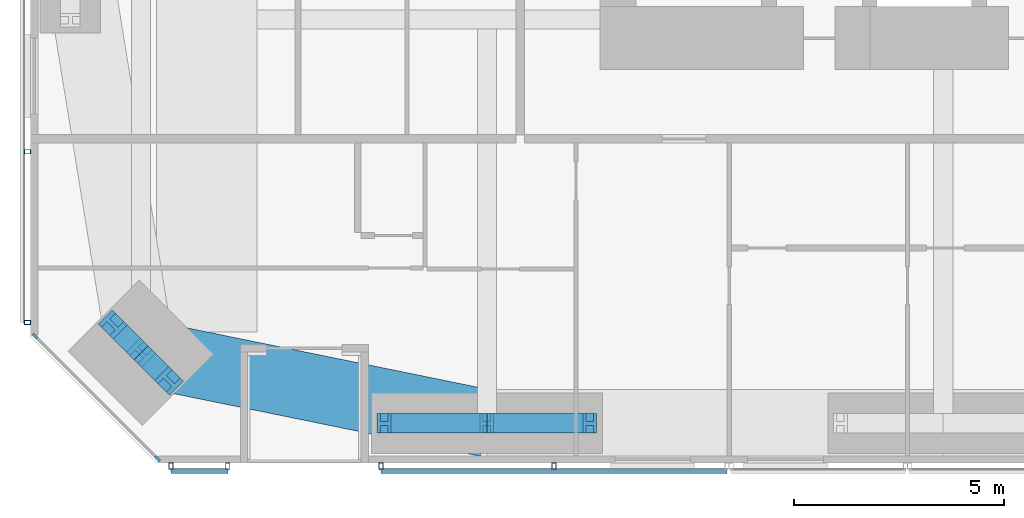
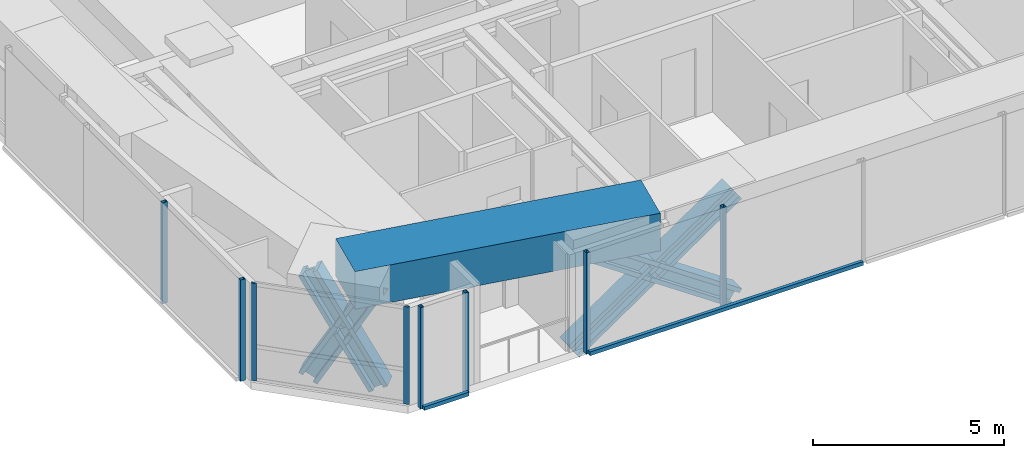
# One storey, part 2 of 23: 18 members, 1 beam, 4 elements without a shape of their own.
"""IFC4 building model written with IfcOpenShell, lengths in metres."""

from ifc_helpers import new_model, si_unit, direction, frame, origin, origin_2d, place, context, subcontext, project, spatial, rectangle, hollow_rectangle, i_section, extrude, material, material_profile, profile_set, type_object, element, aggregate, save


model = new_model("IFC4")

# Units and contexts
model_context = context("Model", 3, precision=1e-05, world=origin(), true_north=direction((0.0, 1.0)))
body_context = subcontext(model_context, "Body", "Model", "MODEL_VIEW")
ifc_project = project(units=[si_unit("LENGTHUNIT", "METRE"), si_unit("AREAUNIT", "SQUARE_METRE"), si_unit("VOLUMEUNIT", "CUBIC_METRE"), si_unit("PLANEANGLEUNIT", "RADIAN"), si_unit("MASSUNIT", "GRAM", prefix="KILO")], contexts=[model_context])

# Site, building, storey
site_placement = place(None, origin())
site = spatial("IfcSite", under=ifc_project, at=site_placement, CompositionType="ELEMENT")
building_placement = place(site_placement, origin())
building = spatial("IfcBuilding", under=site, at=building_placement, Name="Jalousie Tower", CompositionType="ELEMENT")
storey_placement = place(building_placement, frame((0.0, 0.0, 118.25)))
storey = spatial("IfcBuildingStorey", under=building, at=storey_placement, Name="L32", CompositionType="ELEMENT", Elevation=118.25)

# Curtain wall, members
ifc_material_1 = material(Name="Aluminium curtain wall", Category="aluminium")
curtain_wall_type_1 = type_object("IfcCurtainWallType", Name="CORNER WINDOW WALL", PredefinedType="USERDEFINED", material=ifc_material_1)
curtain_wall_1_placement = place(storey_placement, origin())
curtain_wall_1 = element("IfcCurtainWall", 1, at=curtain_wall_1_placement, inside=storey, type_object=curtain_wall_type_1, Name="Corner Window Wall L32 8", ObjectType="CORNER WINDOW WALL", PredefinedType="USERDEFINED")
ifc_material_2 = material(Name="Aluminium mullion", Category="aluminium")
ifc_material_profile_1 = material_profile(ifc_material_2, rectangle(XDim=0.06005859375, YDim=0.14990234375, at=origin_2d()), Name="MULLION 60x150")
ifc_profile_set_1 = profile_set([ifc_material_profile_1], Name="Aluminium mullion")
member_type_1 = type_object("IfcMemberType", Name="CORNER WINDOW WALL MULLION", PredefinedType="MULLION", material=ifc_profile_set_1)
member_1_placement = place(storey_placement, frame((6.108642578125, 3.030029296875, 0.0), z_axis=(0.0, 0.0, 1.0), x_axis=(0.707106781187, 0.707106781187, 0.0)))
member_1 = element("IfcMember", 2, at=member_1_placement, type_object=member_type_1, Name="CW-C mullion 1", PredefinedType="MULLION", context=body_context, shape_type="SweptSolid", body=[
    extrude(rectangle(XDim=0.06005859375, YDim=0.14990234375, at=origin_2d()), origin(), (0.0, 0.0, 1.0), 3.110107421875),
])
member_2_placement = place(storey_placement, frame((9.030029296875, 0.108642578125, 0.0), z_axis=(0.0, 0.0, 1.0), x_axis=(0.707106781187, 0.707106781187, 0.0)))
member_2 = element("IfcMember", 3, at=member_2_placement, type_object=member_type_1, Name="CW-C mullion 2", PredefinedType="MULLION", context=body_context, shape_type="SweptSolid", body=[
    extrude(rectangle(XDim=0.06005859375, YDim=0.14990234375, at=origin_2d()), origin(), (0.0, 0.0, 1.0), 3.110107421875),
])
aggregate(curtain_wall_1, [member_1, member_2])

# Members
ifc_material_3 = material(Name="Steel ASTM A992 Grade 50", Category="steel")
ifc_material_profile_2 = material_profile(ifc_material_3, i_section(OverallWidth=0.472412109375, OverallDepth=0.5791015625, WebThickness=0.094970703125, FlangeThickness=0.1298828125, at=origin_2d()), Name="W14X808")
ifc_profile_set_2 = profile_set([ifc_material_profile_2], Name="Steel ASTM A992 Grade 50")
member_type_2 = type_object("IfcMemberType", Name="PERIMETER BRACE W14X808", PredefinedType="BRACE", material=ifc_profile_set_2)
for number, where, z_axis, x_axis, name in (
    (4, (7.959716796875, 3.302978515625, -0.60009765625), (0.348789058631, -0.348789058631, 0.869880672943), (0.707106781187, 0.707106781187, 0.0), "Perimeter brace 01 L32 part 1"),
    (5, (8.63134765625, 2.63134765625, 1.074951171875), (0.348789058631, -0.348789058631, 0.869880672943), (0.707106781187, 0.707106781187, 0.0), "Perimeter brace 01 L32 part 2"),
    (6, (9.302978515625, 1.959716796875, -0.60009765625), (-0.348789058631, 0.348789058631, 0.869880672943), (-0.707106781187, -0.707106781187, 0.0), "Perimeter brace 01 L32 part 3"),
    (7, (8.63134765625, 2.63134765625, 1.074951171875), (-0.348789058631, 0.348789058631, 0.869880672943), (-0.707106781187, -0.707106781187, 0.0), "Perimeter brace 01 L32 part 4"),
):
    element("IfcMember", number, at=place(storey_placement, frame(where, z_axis=z_axis, x_axis=x_axis)), inside=storey, type_object=member_type_2, Name=name, PredefinedType="BRACE", context=body_context, shape_type="SweptSolid", body=[
        extrude(i_section(OverallWidth=0.472412109375, OverallDepth=0.5791015625, WebThickness=0.094970703125, FlangeThickness=0.1298828125, at=origin_2d()), origin(), (0.0, 0.0, 1.0), 1.925537109375),
    ])
for number, where, z_axis, x_axis, name in (
    (8, (14.425048828125, 0.949951171875, -0.60009765625), (0.825500916831, 0.0, 0.564400776321), (0.0, 1.0, 0.0), "Perimeter brace 02 L32 part 1"),
    (9, (16.875, 0.949951171875, 1.074951171875), (0.825500916831, 0.0, 0.564400776321), (0.0, 1.0, 0.0), "Perimeter brace 02 L32 part 2"),
    (10, (19.324951171875, 0.949951171875, -0.60009765625), (-0.825500916831, 0.0, 0.564400776321), (0.0, -1.0, 0.0), "Perimeter brace 02 L32 part 3"),
    (11, (16.875, 0.949951171875, 1.074951171875), (-0.825500916831, 0.0, 0.564400776321), (0.0, -1.0, 0.0), "Perimeter brace 02 L32 part 4"),
):
    element("IfcMember", number, at=place(storey_placement, frame(where, z_axis=z_axis, x_axis=x_axis)), inside=storey, type_object=member_type_2, Name=name, PredefinedType="BRACE", context=body_context, shape_type="SweptSolid", body=[
        extrude(i_section(OverallWidth=0.472412109375, OverallDepth=0.5791015625, WebThickness=0.094970703125, FlangeThickness=0.1298828125, at=origin_2d()), origin(), (0.0, 0.0, 1.0), 2.9677734375),
    ])

# Beam
ifc_material_4 = material(Name="Concrete f'c 40 MPa", Category="concrete")
ifc_material_profile_3 = material_profile(ifc_material_4, rectangle(XDim=1.60009765625, YDim=1.199951171875, at=origin_2d()), Name="RC 1600x1200")
ifc_profile_set_3 = profile_set([ifc_material_profile_3], Name="Concrete f'c 40 MPa")
beam_type = type_object("IfcBeamType", Name="RC BEAM 1600x1200", PredefinedType="BEAM", material=ifc_profile_set_3)
beam_placement = place(storey_placement, frame((8.63134765625, 2.63134765625, 2.75), z_axis=(0.97982690954, -0.199848010602, 0.0), x_axis=(0.199848010602, 0.97982690954, 0.0)))
element("IfcBeam", 12, at=beam_placement, inside=storey, type_object=beam_type, Name="Edge band beam 01-02 under L33", PredefinedType="BEAM", context=body_context, shape_type="SweptSolid", body=[
    extrude(rectangle(XDim=1.60009765625, YDim=1.199951171875, at=origin_2d()), origin(), (0.0, 0.0, 1.0), 8.413330078125),
])

# Curtain wall, members
ifc_material_5 = material(Name="Perforated aluminium sheet", Category="aluminium")
curtain_wall_type_2 = type_object("IfcCurtainWallType", Name="SOLAR SCREEN SS-1", PredefinedType="USERDEFINED", material=ifc_material_5)
curtain_wall_2_placement = place(storey_placement, origin())
curtain_wall_2 = element("IfcCurtainWall", 13, at=curtain_wall_2_placement, inside=storey, type_object=curtain_wall_type_2, Name="Solar screen L32", ObjectType="SOLAR SCREEN SS-1", PredefinedType="USERDEFINED")
ifc_material_6 = material(Name="Steel ASTM A500 Grade C", Category="steel")
ifc_material_profile_4 = material_profile(ifc_material_6, hollow_rectangle(XDim=0.1015625, YDim=0.15234375, WallThickness=0.00634765625, at=origin_2d()), Name="HSS6X4X1/4")
ifc_profile_set_4 = profile_set([ifc_material_profile_4], Name="Steel ASTM A500 Grade C")
member_type_3 = type_object("IfcMemberType", Name="SOLAR SCREEN SS-1 MULLION", PredefinedType="MULLION", material=ifc_profile_set_4)
member_3_placement = place(storey_placement, frame((9.351318359375, -0.0712890625, -0.1201171875), z_axis=(0.0, 0.0, 1.0), x_axis=(1.0, 0.0, 0.0)))
member_3 = element("IfcMember", 14, at=member_3_placement, type_object=member_type_3, Name="SS1 post 1", PredefinedType="MULLION", context=body_context, shape_type="SweptSolid", body=[
    extrude(hollow_rectangle(XDim=0.1015625, YDim=0.15234375, WallThickness=0.00634765625, at=origin_2d()), origin(), (0.0, 0.0, 1.0), 3.230224609375),
])
member_4_placement = place(storey_placement, frame((10.701416015625, -0.0712890625, -0.1201171875), z_axis=(0.0, 0.0, 1.0), x_axis=(1.0, 0.0, 0.0)))
member_4 = element("IfcMember", 15, at=member_4_placement, type_object=member_type_3, Name="SS1 post 2", PredefinedType="MULLION", context=body_context, shape_type="SweptSolid", body=[
    extrude(hollow_rectangle(XDim=0.1015625, YDim=0.15234375, WallThickness=0.00634765625, at=origin_2d()), origin(), (0.0, 0.0, 1.0), 3.230224609375),
])

curtain_wall_3_placement = place(storey_placement, origin())
curtain_wall_3 = element("IfcCurtainWall", 16, at=curtain_wall_3_placement, inside=storey, type_object=curtain_wall_type_2, Name="Solar screen L32", ObjectType="SOLAR SCREEN SS-1", PredefinedType="USERDEFINED")
member_5_placement = place(storey_placement, frame((14.351318359375, -0.0712890625, -0.1201171875), z_axis=(0.0, 0.0, 1.0), x_axis=(1.0, 0.0, 0.0)))
member_5 = element("IfcMember", 17, at=member_5_placement, type_object=member_type_3, Name="SS1 post 1", PredefinedType="MULLION", context=body_context, shape_type="SweptSolid", body=[
    extrude(hollow_rectangle(XDim=0.1015625, YDim=0.15234375, WallThickness=0.00634765625, at=origin_2d()), origin(), (0.0, 0.0, 1.0), 3.230224609375),
])
member_6_placement = place(storey_placement, frame((18.4755859375, -0.0712890625, -0.1201171875), z_axis=(0.0, 0.0, 1.0), x_axis=(1.0, 0.0, 0.0)))
member_6 = element("IfcMember", 18, at=member_6_placement, type_object=member_type_3, Name="SS1 post 2", PredefinedType="MULLION", context=body_context, shape_type="SweptSolid", body=[
    extrude(hollow_rectangle(XDim=0.1015625, YDim=0.15234375, WallThickness=0.00634765625, at=origin_2d()), origin(), (0.0, 0.0, 1.0), 3.230224609375),
])

curtain_wall_4_placement = place(storey_placement, origin())
curtain_wall_4 = element("IfcCurtainWall", 19, at=curtain_wall_4_placement, inside=storey, type_object=curtain_wall_type_2, Name="Solar screen L32", ObjectType="SOLAR SCREEN SS-1", PredefinedType="USERDEFINED")
member_7_placement = place(storey_placement, frame((5.9287109375, 7.42041015625, -0.1201171875), z_axis=(0.0, 0.0, 1.0), x_axis=(0.0, -1.0, 0.0)))
member_7 = element("IfcMember", 20, at=member_7_placement, type_object=member_type_3, Name="SS1 post 3", PredefinedType="MULLION", context=body_context, shape_type="SweptSolid", body=[
    extrude(hollow_rectangle(XDim=0.1015625, YDim=0.15234375, WallThickness=0.00634765625, at=origin_2d()), origin(), (0.0, 0.0, 1.0), 3.230224609375),
])
member_8_placement = place(storey_placement, frame((5.9287109375, 3.351318359375, -0.1201171875), z_axis=(0.0, 0.0, 1.0), x_axis=(0.0, -1.0, 0.0)))
member_8 = element("IfcMember", 21, at=member_8_placement, type_object=member_type_3, Name="SS1 post 4", PredefinedType="MULLION", context=body_context, shape_type="SweptSolid", body=[
    extrude(hollow_rectangle(XDim=0.1015625, YDim=0.15234375, WallThickness=0.00634765625, at=origin_2d()), origin(), (0.0, 0.0, 1.0), 3.230224609375),
])
aggregate(curtain_wall_4, [member_7, member_8])

# Member
ifc_material_7 = material(Name="Extruded aluminium screen rail", Category="aluminium")
ifc_material_profile_5 = material_profile(ifc_material_7, rectangle(XDim=0.1015625, YDim=0.1201171875, at=origin_2d()), Name="RAIL 102x120")
ifc_profile_set_5 = profile_set([ifc_material_profile_5], Name="Extruded aluminium screen rail")
member_type_4 = type_object("IfcMemberType", Name="SOLAR SCREEN SS-1 TRANSOM", PredefinedType="USERDEFINED", material=ifc_profile_set_5)
member_9_placement = place(storey_placement, frame((9.351318359375, -0.1982421875, -0.06005859375), z_axis=(1.0, 0.0, 0.0), x_axis=(0.0, 1.0, 0.0)))
member_9 = element("IfcMember", 22, at=member_9_placement, type_object=member_type_4, Name="SS1 rail", ObjectType="TRANSOM", PredefinedType="USERDEFINED", context=body_context, shape_type="SweptSolid", body=[
    extrude(rectangle(XDim=0.1015625, YDim=0.1201171875, at=origin_2d()), origin(), (0.0, 0.0, 1.0), 1.35009765625),
])

aggregate(curtain_wall_2, [member_3, member_4, member_9])

member_10_placement = place(storey_placement, frame((14.351318359375, -0.1982421875, -0.06005859375), z_axis=(1.0, 0.0, 0.0), x_axis=(0.0, 1.0, 0.0)))
member_10 = element("IfcMember", 23, at=member_10_placement, type_object=member_type_4, Name="SS1 rail", ObjectType="TRANSOM", PredefinedType="USERDEFINED", context=body_context, shape_type="SweptSolid", body=[
    extrude(rectangle(XDim=0.1015625, YDim=0.1201171875, at=origin_2d()), origin(), (0.0, 0.0, 1.0), 8.248779296875),
])

aggregate(curtain_wall_3, [member_5, member_6, member_10])

save(model, "model.ifc")
